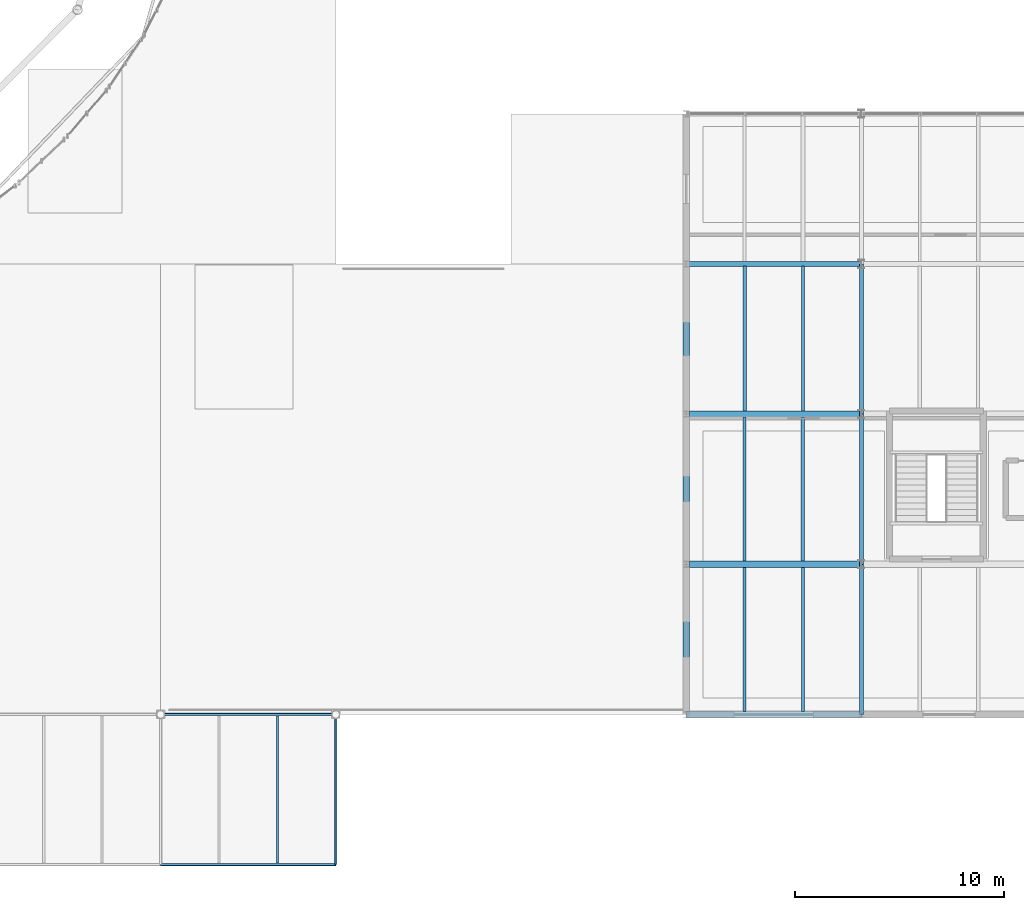
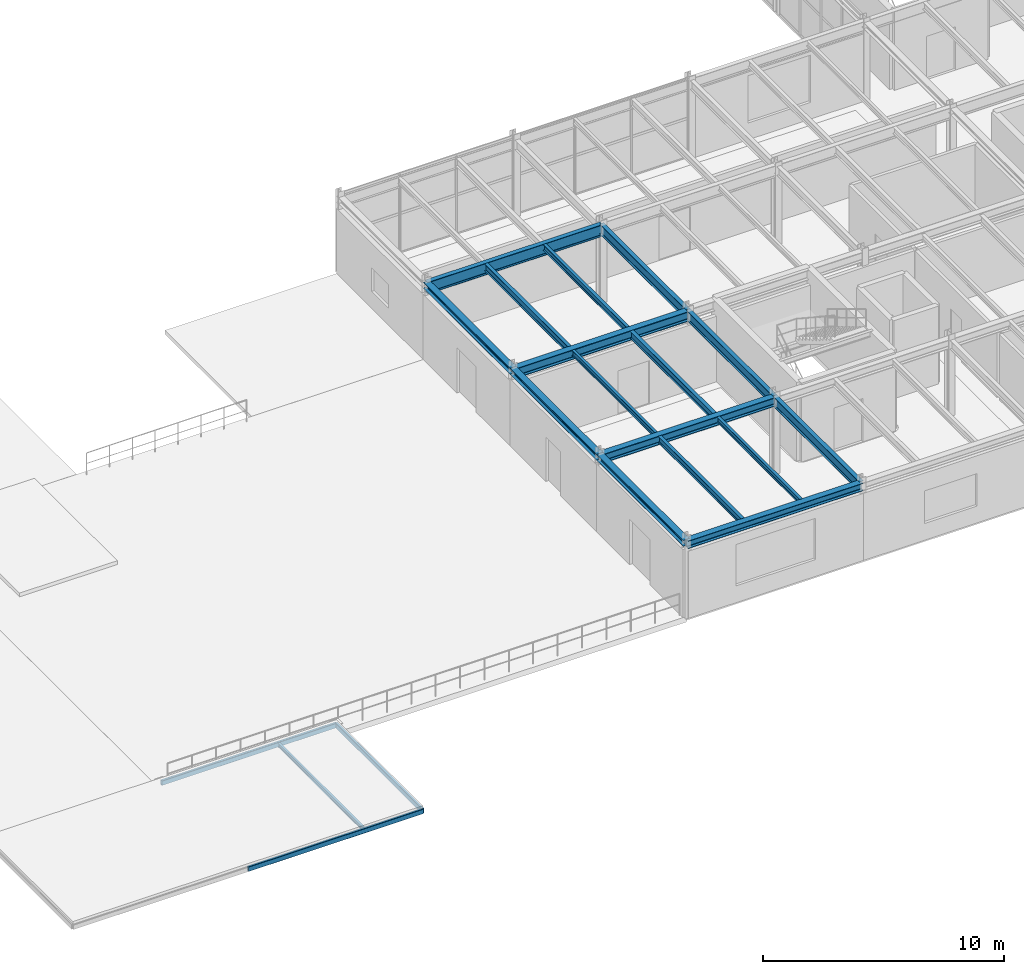
# One storey, part 24 of 73: 20 beams.
"""IFC4 building model written with IfcOpenShell, lengths in metres."""

import ifcopenshell
import ifcopenshell.guid

model = None  # the IFC model being written
_history = None  # IfcOwnerHistory: only IFC2X3 demands one
_inside = {}  # id of a spatial element -> (the spatial element, [elements in it])
_under = {}  # id of a project, library or spatial element -> (it, [spatial elements below it])
_declared = {}  # id of a project -> (the project, [libraries it declares])
_typed = {}  # id of a type object -> (the type object, [elements of that type])
_made_of = {}  # id of a material, layer set ... -> (it, [elements and type objects made of it])


def new_model(schema):
    """Start an empty IFC model of exactly this schema.

    Asked for "IFC4X3", IfcOpenShell would pick the latest addendum, in which some entities
    have other attributes; the version numbers below select the first issue.
    IFC2X3 requires an IfcOwnerHistory on every rooted entity: one is made here for all.
    """
    global model, _history
    if schema == "IFC4X3":
        model = ifcopenshell.file(schema_version=(4, 3, 0, 0))
    else:
        model = ifcopenshell.file(schema=schema)
    _inside.clear()
    _under.clear()
    _declared.clear()
    _typed.clear()
    _made_of.clear()
    _history = None
    if model.schema == "IFC2X3":
        org = make("IfcOrganization", Name="unknown")
        user = make(
            "IfcPersonAndOrganization",
            ThePerson=make("IfcPerson", FamilyName="unknown"),
            TheOrganization=org,
        )
        app = make(
            "IfcApplication",
            ApplicationDeveloper=org,
            Version="unknown",
            ApplicationFullName="unknown",
            ApplicationIdentifier="unknown",
        )
        _history = make(
            "IfcOwnerHistory",
            OwningUser=user,
            OwningApplication=app,
            ChangeAction="ADDED",
            CreationDate=0,
        )
    return model


def make(cls, **values):
    """One entity of the class cls with the attributes given. An attribute that is None is left unset."""
    return model.create_entity(
        cls, **{name: value for name, value in values.items() if value is not None}
    )


def rooted(cls, **values):
    """An entity with a GlobalId (a new one), such as an element, a storey or a relation."""
    return make(cls, GlobalId=ifcopenshell.guid.new(), OwnerHistory=_history, **values)


def si_unit(unit_type, name, prefix=None):
    """IfcSIUnit, for example si_unit("LENGTHUNIT", "METRE", prefix="MILLI")."""
    return make("IfcSIUnit", UnitType=unit_type, Prefix=prefix, Name=name)


def derived_unit(unit_type, elements):
    """IfcDerivedUnit: a product of units, each with its exponent."""
    return make(
        "IfcDerivedUnit",
        Elements=[
            make("IfcDerivedUnitElement", Unit=unit, Exponent=power)
            for unit, power in elements
        ],
        UnitType=unit_type,
    )


def assignment(units):
    """IfcUnitAssignment: the units of a project."""
    return None if units is None else make("IfcUnitAssignment", Units=units)


def point(xyz):
    """IfcCartesianPoint."""
    return None if xyz is None else make("IfcCartesianPoint", Coordinates=xyz)


def direction(xyz):
    """IfcDirection."""
    return None if xyz is None else make("IfcDirection", DirectionRatios=xyz)


def frame(location, z_axis=None, x_axis=None):
    """IfcAxis2Placement3D, a coordinate frame: its origin and axes. An axis left out is left unset."""
    return make(
        "IfcAxis2Placement3D",
        Location=point(location),
        Axis=direction(z_axis),
        RefDirection=direction(x_axis),
    )


def frame_2d(location, x_axis=None):
    """IfcAxis2Placement2D, a coordinate frame in the plane: its origin and x axis."""
    return make(
        "IfcAxis2Placement2D", Location=point(location), RefDirection=direction(x_axis)
    )


def origin():
    """The frame at (0, 0, 0) with its axes left unset."""
    return frame((0.0, 0.0, 0.0))


def origin_2d():
    """The frame at (0, 0) in the plane with its x axis left unset."""
    return frame_2d((0.0, 0.0))


def place(relative_to, where):
    """IfcLocalPlacement: puts the frame where relative to a parent placement (None: the world)."""
    return make(
        "IfcLocalPlacement", PlacementRelTo=relative_to, RelativePlacement=where
    )


def context(
    kind, dimensions, precision=None, world=None, true_north=None, identifier=None
):
    """IfcGeometricRepresentationContext, for example the 3D "Model" context."""
    return make(
        "IfcGeometricRepresentationContext",
        ContextIdentifier=identifier,
        ContextType=kind,
        CoordinateSpaceDimension=dimensions,
        Precision=precision,
        WorldCoordinateSystem=world,
        TrueNorth=true_north,
    )


def subcontext(parent, identifier, kind, view, scale=None):
    """IfcGeometricRepresentationSubContext, for example "Body" below "Model"."""
    return make(
        "IfcGeometricRepresentationSubContext",
        ContextIdentifier=identifier,
        ContextType=kind,
        ParentContext=parent,
        TargetScale=scale,
        TargetView=view,
    )


def project(units=None, contexts=None):
    """IfcProject with its units and contexts."""
    return rooted(
        "IfcProject",
        Name="project",
        RepresentationContexts=contexts,
        UnitsInContext=assignment(units),
    )


def spatial(cls, under=None, at=None, **own):
    """A site, building, storey or space (cls), placed at a placement, below another one or the project."""
    s = rooted(cls, ObjectPlacement=at, **own)
    if under is not None:
        _under.setdefault(under.id(), (under, []))[1].append(s)
    return s


def profile(cls, at=None, kind="AREA", **sizes):
    """A parametric profile (cls). Its sizes go by their IFC names, for example OverallWidth=200.0."""
    return make(cls, ProfileType=kind, Position=at, **sizes)


def hollow_rectangle(**sizes):
    """IfcRectangleHollowProfileDef."""
    return profile("IfcRectangleHollowProfileDef", **sizes)


def i_section(**sizes):
    """IfcIShapeProfileDef."""
    return profile("IfcIShapeProfileDef", **sizes)


def extrude(swept, where, along, depth):
    """IfcExtrudedAreaSolid: the profile swept, set in the frame where, extruded along a direction by depth."""
    return make(
        "IfcExtrudedAreaSolid",
        SweptArea=swept,
        Position=where,
        ExtrudedDirection=direction(along),
        Depth=depth,
    )


def shape(context_of_items, identifier, shape_type, items):
    """IfcShapeRepresentation: the items that make up one representation, for example the "Body"."""
    return make(
        "IfcShapeRepresentation",
        ContextOfItems=context_of_items,
        RepresentationIdentifier=identifier,
        RepresentationType=shape_type,
        Items=items,
    )


def material(Name=None, Category=None):
    """IfcMaterial."""
    return make("IfcMaterial", Name=Name, Category=Category)


def material_profile(
    of_material, cross_section, Name=None, Category=None, Priority=None
):
    """IfcMaterialProfile: a cross section and its material."""
    return make(
        "IfcMaterialProfile",
        Name=Name,
        Material=of_material,
        Profile=cross_section,
        Priority=Priority,
        Category=Category,
    )


def profile_set(profiles, Name=None, composite=None):
    """IfcMaterialProfileSet."""
    return make(
        "IfcMaterialProfileSet",
        Name=Name,
        MaterialProfiles=profiles,
        CompositeProfile=composite,
    )


def made_of(thing, what):
    """Note that an element or type object is made of a material, layer set ...; save() writes the relation."""
    if what is not None:
        _made_of.setdefault(what.id(), (what, []))[1].append(thing)
    return thing


def type_object(cls, material=None, **own):
    """A type object (cls), such as IfcWallType, which elements share."""
    return made_of(rooted(cls, **own), material)


def element(
    cls,
    number,
    at=None,
    inside=None,
    cuts=None,
    type_object=None,
    material=None,
    context=None,
    identifier="Body",
    shape_type=None,
    held_by="IfcProductDefinitionShape",
    body=None,
    shapes=None,
    **own,
):
    """One element of the class cls, such as IfcWall. Its Tag is "e" and its number.

    at: its placement. inside: the storey or other place that contains it. cuts: it is an
    opening in that element (IfcRelVoidsElement). A single representation is given by context,
    identifier, shape_type and body (its items); several are given by shapes. held_by: the class
    of the entity that holds the representations. save() writes the other relations.
    """
    e = rooted(cls, Tag="e%d" % number, ObjectPlacement=at, **own)
    if body is not None:
        shapes = [shape(context, identifier, shape_type, body)]
    if shapes is not None:
        e.Representation = make(held_by, Representations=shapes)
    if inside is not None:
        _inside.setdefault(inside.id(), (inside, []))[1].append(e)
    if cuts is not None:
        rooted(
            "IfcRelVoidsElement", RelatingBuildingElement=cuts, RelatedOpeningElement=e
        )
    if type_object is not None:
        _typed.setdefault(type_object.id(), (type_object, []))[1].append(e)
    return made_of(e, material)


def aggregate(whole, parts):
    """IfcRelAggregates: a whole, such as a stair, and the parts it consists of."""
    return rooted("IfcRelAggregates", RelatingObject=whole, RelatedObjects=parts)


def save(model, path):
    """Write the relations noted so far, then the file.

    IfcRelAggregates (storeys below a building ...), IfcRelContainedInSpatialStructure (elements
    in a storey), IfcRelDefinesByType, IfcRelAssociatesMaterial and IfcRelDeclares: one each for
    every whole, place, type object, material and project.
    """
    for whole, parts in _under.values():
        aggregate(whole, parts)
    for where, things in _inside.values():
        rooted(
            "IfcRelContainedInSpatialStructure",
            RelatedElements=things,
            RelatingStructure=where,
        )
    for kind, things in _typed.values():
        rooted("IfcRelDefinesByType", RelatedObjects=things, RelatingType=kind)
    for what, things in _made_of.values():
        rooted("IfcRelAssociatesMaterial", RelatedObjects=things, RelatingMaterial=what)
    for by, libraries in _declared.values():
        rooted("IfcRelDeclares", RelatingContext=by, RelatedDefinitions=libraries)
    model.write(path)


model = new_model("IFC4")

# Units and contexts
model_context = context("Model", 3, precision=1e-05, world=origin(), true_north=direction((0.0, 1.0)))
body_context = subcontext(model_context, "Body", "Model", "MODEL_VIEW")
ifc_project = project(units=[si_unit("LENGTHUNIT", "METRE"), si_unit("AREAUNIT", "SQUARE_METRE"), si_unit("VOLUMEUNIT", "CUBIC_METRE"), si_unit("PLANEANGLEUNIT", "RADIAN"), si_unit("MASSUNIT", "GRAM", prefix="KILO"), derived_unit("THERMALTRANSMITTANCEUNIT", [(si_unit("MASSUNIT", "GRAM", prefix="KILO"), 1), (si_unit("TIMEUNIT", "SECOND"), -3), (si_unit("THERMODYNAMICTEMPERATUREUNIT", "KELVIN"), -1)])], contexts=[model_context])

# Site, building, storey
site_placement = place(None, origin())
site = spatial("IfcSite", under=ifc_project, at=site_placement, CompositionType="ELEMENT")
building_placement = place(site_placement, origin())
building = spatial("IfcBuilding", under=site, at=building_placement, Name="Kharveza Railside Sports Centre", CompositionType="ELEMENT")
storey_placement = place(building_placement, frame((0.0, 0.0, 8.699951171875)))
storey = spatial("IfcBuildingStorey", under=building, at=storey_placement, Name="L02", CompositionType="ELEMENT", Elevation=8.699951171875)

# Beams
ifc_material_1 = material(Name="Steel S355J2", Category="steel")
ifc_material_profile_1 = material_profile(ifc_material_1, i_section(OverallWidth=0.219970703125, OverallDepth=0.60009765625, WebThickness=0.011962890625, FlangeThickness=0.01904296875, FilletRadius=0.02392578125, at=origin_2d()), Name="IPE 600")
ifc_profile_set_1 = profile_set([ifc_material_profile_1], Name="Steel S355J2")
beam_type_1 = type_object("IfcBeamType", Name="BM-G01", PredefinedType="T_BEAM", material=ifc_profile_set_1)
beam_1_placement = place(storey_placement, frame((117.60009765625, 28.800048828125, 3.6201171875), z_axis=(1.0, 0.0, 0.0), x_axis=(0.0, 1.0, 0.0)))
element("IfcBeam", 1, at=beam_1_placement, inside=storey, type_object=beam_type_1, Name="BM-EW-L02-B01-X1176-Y288", PredefinedType="T_BEAM", context=body_context, shape_type="SweptSolid", body=[
    extrude(i_section(OverallWidth=0.219970703125, OverallDepth=0.60009765625, WebThickness=0.011962890625, FlangeThickness=0.01904296875, FilletRadius=0.02392578125, at=origin_2d()), origin(), (0.0, 0.0, 1.0), 8.39990234375),
])
ifc_material_profile_2 = material_profile(ifc_material_1, i_section(OverallWidth=0.199951171875, OverallDepth=0.5, WebThickness=0.01025390625, FlangeThickness=0.01611328125, FilletRadius=0.02099609375, at=origin_2d()), Name="IPE 500")
ifc_profile_set_2 = profile_set([ifc_material_profile_2], Name="Steel S355J2")
beam_type_2 = type_object("IfcBeamType", Name="BM-G03", PredefinedType="T_BEAM", material=ifc_profile_set_2)
beam_2_placement = place(storey_placement, frame((126.0, 7.199951171875, 3.670166015625), z_axis=(0.0, 1.0, 0.0), x_axis=(-1.0, 0.0, 0.0)))
element("IfcBeam", 2, at=beam_2_placement, inside=storey, type_object=beam_type_2, Name="BM-NS-L02-B03-X1260-Y72", PredefinedType="T_BEAM", context=body_context, shape_type="SweptSolid", body=[
    extrude(i_section(OverallWidth=0.199951171875, OverallDepth=0.5, WebThickness=0.01025390625, FlangeThickness=0.01611328125, FilletRadius=0.02099609375, at=origin_2d()), origin(), (0.0, 0.0, 1.0), 7.199951171875),
])
beam_3_placement = place(storey_placement, frame((126.0, 14.39990234375, 3.670166015625), z_axis=(0.0, 1.0, 0.0), x_axis=(-1.0, 0.0, 0.0)))
element("IfcBeam", 3, at=beam_3_placement, inside=storey, type_object=beam_type_2, Name="BM-NS-L02-B03-X1260-Y144", PredefinedType="T_BEAM", context=body_context, shape_type="SweptSolid", body=[
    extrude(i_section(OverallWidth=0.199951171875, OverallDepth=0.5, WebThickness=0.01025390625, FlangeThickness=0.01611328125, FilletRadius=0.02099609375, at=origin_2d()), origin(), (0.0, 0.0, 1.0), 7.2001953125),
])
beam_4_placement = place(storey_placement, frame((126.0, 21.60009765625, 3.670166015625), z_axis=(0.0, 1.0, 0.0), x_axis=(-1.0, 0.0, 0.0)))
element("IfcBeam", 4, at=beam_4_placement, inside=storey, type_object=beam_type_2, Name="BM-NS-L02-B03-X1260-Y216", PredefinedType="T_BEAM", context=body_context, shape_type="SweptSolid", body=[
    extrude(i_section(OverallWidth=0.199951171875, OverallDepth=0.5, WebThickness=0.01025390625, FlangeThickness=0.01611328125, FilletRadius=0.02099609375, at=origin_2d()), origin(), (0.0, 0.0, 1.0), 7.199951171875),
])
ifc_material_profile_3 = material_profile(ifc_material_1, i_section(OverallWidth=0.300048828125, OverallDepth=0.5, WebThickness=0.014404296875, FlangeThickness=0.028076171875, FilletRadius=0.027099609375, at=origin_2d()), Name="HEB 500")
ifc_profile_set_3 = profile_set([ifc_material_profile_3], Name="Steel S355J2")
beam_type_3 = type_object("IfcBeamType", Name="BM-G05", PredefinedType="T_BEAM", material=ifc_profile_set_3)
beam_5_placement = place(storey_placement, frame((117.60009765625, 21.60009765625, 3.670166015625), z_axis=(1.0, 0.0, 0.0), x_axis=(0.0, 1.0, 0.0)))
element("IfcBeam", 5, at=beam_5_placement, inside=storey, type_object=beam_type_3, Name="BM-EW-L02-B05-X1176-Y216", PredefinedType="T_BEAM", context=body_context, shape_type="SweptSolid", body=[
    extrude(i_section(OverallWidth=0.300048828125, OverallDepth=0.5, WebThickness=0.014404296875, FlangeThickness=0.028076171875, FilletRadius=0.027099609375, at=origin_2d()), origin(), (0.0, 0.0, 1.0), 8.39990234375),
])
ifc_material_profile_4 = material_profile(ifc_material_1, i_section(OverallWidth=0.300048828125, OverallDepth=0.449951171875, WebThickness=0.013916015625, FlangeThickness=0.02587890625, FilletRadius=0.027099609375, at=origin_2d()), Name="HEB 450")
ifc_profile_set_4 = profile_set([ifc_material_profile_4], Name="Steel S355J2")
beam_type_4 = type_object("IfcBeamType", Name="BM-G06", PredefinedType="T_BEAM", material=ifc_profile_set_4)
beam_6_placement = place(storey_placement, frame((117.60009765625, 14.39990234375, 3.695068359375), z_axis=(1.0, 0.0, 0.0), x_axis=(0.0, 1.0, 0.0)))
element("IfcBeam", 6, at=beam_6_placement, inside=storey, type_object=beam_type_4, Name="BM-EW-L02-B06-X1176-Y144", PredefinedType="T_BEAM", context=body_context, shape_type="SweptSolid", body=[
    extrude(i_section(OverallWidth=0.300048828125, OverallDepth=0.449951171875, WebThickness=0.013916015625, FlangeThickness=0.02587890625, FilletRadius=0.027099609375, at=origin_2d()), origin(), (0.0, 0.0, 1.0), 8.39990234375),
])
ifc_material_2 = material(Name="Steel S275JR", Category="steel")
ifc_material_profile_5 = material_profile(ifc_material_2, i_section(OverallWidth=0.10009765625, OverallDepth=0.199951171875, WebThickness=0.005615234375, FlangeThickness=0.008544921875, FilletRadius=0.011962890625, at=origin_2d()), Name="IPE 200")
ifc_profile_set_5 = profile_set([ifc_material_profile_5], Name="Steel S275JR")
beam_type_5 = type_object("IfcBeamType", Name="BM-J03", PredefinedType="JOIST", material=ifc_profile_set_5)
beam_7_placement = place(storey_placement, frame((98.0, 0.074951171875, 0.4150390625), z_axis=(0.0, 1.0, 0.0), x_axis=(-1.0, 0.0, 0.0)))
element("IfcBeam", 7, at=beam_7_placement, inside=storey, type_object=beam_type_5, Name="BM-CANOPY-J-04", PredefinedType="JOIST", context=body_context, shape_type="SweptSolid", body=[
    extrude(i_section(OverallWidth=0.10009765625, OverallDepth=0.199951171875, WebThickness=0.005615234375, FlangeThickness=0.008544921875, FilletRadius=0.011962890625, at=origin_2d()), origin(), (0.0, 0.0, 1.0), 7.050048828125),
])
ifc_material_profile_6 = material_profile(ifc_material_1, i_section(OverallWidth=0.169921875, OverallDepth=0.360107421875, WebThickness=0.008056640625, FlangeThickness=0.0126953125, FilletRadius=0.01806640625, at=origin_2d()), Name="IPE 360")
ifc_profile_set_6 = profile_set([ifc_material_profile_6], Name="Steel S355J2")
beam_type_6 = type_object("IfcBeamType", Name="BM-S02", PredefinedType="BEAM", material=ifc_profile_set_6)
beam_8_placement = place(storey_placement, frame((123.199951171875, 14.547119140625, 3.739990234375), z_axis=(0.0, 1.0, 0.0), x_axis=(-1.0, 0.0, 0.0)))
element("IfcBeam", 8, at=beam_8_placement, inside=storey, type_object=beam_type_6, Name="BM-SEC-L02-B10-X1232-Y144", PredefinedType="BEAM", context=body_context, shape_type="SweptSolid", body=[
    extrude(i_section(OverallWidth=0.169921875, OverallDepth=0.360107421875, WebThickness=0.008056640625, FlangeThickness=0.0126953125, FilletRadius=0.01806640625, at=origin_2d()), origin(), (0.0, 0.0, 1.0), 6.90576171875),
])
beam_9_placement = place(storey_placement, frame((120.39990234375, 21.7470703125, 3.739990234375), z_axis=(0.0, 1.0, 0.0), x_axis=(-1.0, 0.0, 0.0)))
element("IfcBeam", 9, at=beam_9_placement, inside=storey, type_object=beam_type_6, Name="BM-SEC-L02-B10-X1204-Y216", PredefinedType="BEAM", context=body_context, shape_type="SweptSolid", body=[
    extrude(i_section(OverallWidth=0.169921875, OverallDepth=0.360107421875, WebThickness=0.008056640625, FlangeThickness=0.0126953125, FilletRadius=0.01806640625, at=origin_2d()), origin(), (0.0, 0.0, 1.0), 6.946044921875),
])
ifc_material_profile_7 = material_profile(ifc_material_1, i_section(OverallWidth=0.159912109375, OverallDepth=0.330078125, WebThickness=0.007568359375, FlangeThickness=0.011474609375, FilletRadius=0.01806640625, at=origin_2d()), Name="IPE 330")
ifc_profile_set_7 = profile_set([ifc_material_profile_7], Name="Steel S355J2")
beam_type_7 = type_object("IfcBeamType", Name="BM-S03", PredefinedType="BEAM", material=ifc_profile_set_7)
beam_10_placement = place(storey_placement, frame((120.39990234375, 7.346923828125, 3.755126953125), z_axis=(0.0, 1.0, 0.0), x_axis=(-1.0, 0.0, 0.0)))
element("IfcBeam", 10, at=beam_10_placement, inside=storey, type_object=beam_type_7, Name="BM-SEC-L02-B11-X1204-Y72", PredefinedType="BEAM", context=body_context, shape_type="SweptSolid", body=[
    extrude(i_section(OverallWidth=0.159912109375, OverallDepth=0.330078125, WebThickness=0.007568359375, FlangeThickness=0.011474609375, FilletRadius=0.01806640625, at=origin_2d()), origin(), (0.0, 0.0, 1.0), 6.906005859375),
])
ifc_material_profile_8 = material_profile(ifc_material_1, i_section(OverallWidth=0.14990234375, OverallDepth=0.300048828125, WebThickness=0.007080078125, FlangeThickness=0.0107421875, FilletRadius=0.014892578125, at=origin_2d()), Name="IPE 300")
ifc_profile_set_8 = profile_set([ifc_material_profile_8], Name="Steel S355J2")
beam_type_8 = type_object("IfcBeamType", Name="BM-S04", PredefinedType="BEAM", material=ifc_profile_set_8)
beam_11_placement = place(storey_placement, frame((123.199951171875, 21.7470703125, 3.77001953125), z_axis=(0.0, 1.0, 0.0), x_axis=(-1.0, 0.0, 0.0)))
element("IfcBeam", 11, at=beam_11_placement, inside=storey, type_object=beam_type_8, Name="BM-SEC-L02-B12-X1232-Y216", PredefinedType="BEAM", context=body_context, shape_type="SweptSolid", body=[
    extrude(i_section(OverallWidth=0.14990234375, OverallDepth=0.300048828125, WebThickness=0.007080078125, FlangeThickness=0.0107421875, FilletRadius=0.014892578125, at=origin_2d()), origin(), (0.0, 0.0, 1.0), 6.946044921875),
])
ifc_material_profile_9 = material_profile(ifc_material_1, i_section(OverallWidth=0.135009765625, OverallDepth=0.27001953125, WebThickness=0.006591796875, FlangeThickness=0.01025390625, FilletRadius=0.014892578125, at=origin_2d()), Name="IPE 270")
ifc_profile_set_9 = profile_set([ifc_material_profile_9], Name="Steel S355J2")
beam_type_9 = type_object("IfcBeamType", Name="BM-S05", PredefinedType="BEAM", material=ifc_profile_set_9)
beam_12_placement = place(storey_placement, frame((123.199951171875, 7.346923828125, 3.78515625), z_axis=(0.0, 1.0, 0.0), x_axis=(-1.0, 0.0, 0.0)))
element("IfcBeam", 12, at=beam_12_placement, inside=storey, type_object=beam_type_9, Name="BM-SEC-L02-B13-X1232-Y72", PredefinedType="BEAM", context=body_context, shape_type="SweptSolid", body=[
    extrude(i_section(OverallWidth=0.135009765625, OverallDepth=0.27001953125, WebThickness=0.006591796875, FlangeThickness=0.01025390625, FilletRadius=0.014892578125, at=origin_2d()), origin(), (0.0, 0.0, 1.0), 6.906005859375),
])
beam_13_placement = place(storey_placement, frame((120.39990234375, 14.547119140625, 3.78515625), z_axis=(0.0, 1.0, 0.0), x_axis=(-1.0, 0.0, 0.0)))
element("IfcBeam", 13, at=beam_13_placement, inside=storey, type_object=beam_type_9, Name="BM-SEC-L02-B13-X1204-Y144", PredefinedType="BEAM", context=body_context, shape_type="SweptSolid", body=[
    extrude(i_section(OverallWidth=0.135009765625, OverallDepth=0.27001953125, WebThickness=0.006591796875, FlangeThickness=0.01025390625, FilletRadius=0.014892578125, at=origin_2d()), origin(), (0.0, 0.0, 1.0), 6.90576171875),
])
ifc_material_profile_10 = material_profile(ifc_material_1, i_section(OverallWidth=0.300048828125, OverallDepth=0.31005859375, WebThickness=0.009033203125, FlangeThickness=0.015380859375, FilletRadius=0.027099609375, at=origin_2d()), Name="HEA 320")
ifc_profile_set_10 = profile_set([ifc_material_profile_10], Name="Steel S355J2")
beam_type_10 = type_object("IfcBeamType", Name="BM-S06", PredefinedType="BEAM", material=ifc_profile_set_10)
beam_14_placement = place(storey_placement, frame((117.60009765625, 7.199951171875, 3.76513671875), z_axis=(0.0, 1.0, 0.0), x_axis=(-1.0, 0.0, 0.0)))
element("IfcBeam", 14, at=beam_14_placement, inside=storey, type_object=beam_type_10, Name="BM-NS-L02-B14-X1176-Y72", PredefinedType="BEAM", context=body_context, shape_type="SweptSolid", body=[
    extrude(i_section(OverallWidth=0.300048828125, OverallDepth=0.31005859375, WebThickness=0.009033203125, FlangeThickness=0.015380859375, FilletRadius=0.027099609375, at=origin_2d()), origin(), (0.0, 0.0, 1.0), 7.199951171875),
])
beam_15_placement = place(storey_placement, frame((117.60009765625, 14.39990234375, 3.76513671875), z_axis=(0.0, 1.0, 0.0), x_axis=(-1.0, 0.0, 0.0)))
element("IfcBeam", 15, at=beam_15_placement, inside=storey, type_object=beam_type_10, Name="BM-NS-L02-B14-X1176-Y144", PredefinedType="BEAM", context=body_context, shape_type="SweptSolid", body=[
    extrude(i_section(OverallWidth=0.300048828125, OverallDepth=0.31005859375, WebThickness=0.009033203125, FlangeThickness=0.015380859375, FilletRadius=0.027099609375, at=origin_2d()), origin(), (0.0, 0.0, 1.0), 7.2001953125),
])
beam_16_placement = place(storey_placement, frame((117.60009765625, 21.60009765625, 3.76513671875), z_axis=(0.0, 1.0, 0.0), x_axis=(-1.0, 0.0, 0.0)))
element("IfcBeam", 16, at=beam_16_placement, inside=storey, type_object=beam_type_10, Name="BM-NS-L02-B14-X1176-Y216", PredefinedType="BEAM", context=body_context, shape_type="SweptSolid", body=[
    extrude(i_section(OverallWidth=0.300048828125, OverallDepth=0.31005859375, WebThickness=0.009033203125, FlangeThickness=0.015380859375, FilletRadius=0.027099609375, at=origin_2d()), origin(), (0.0, 0.0, 1.0), 7.199951171875),
])
ifc_material_profile_11 = material_profile(ifc_material_1, i_section(OverallWidth=0.300048828125, OverallDepth=0.389892578125, WebThickness=0.010986328125, FlangeThickness=0.01904296875, FilletRadius=0.027099609375, at=origin_2d()), Name="HEA 400")
ifc_profile_set_11 = profile_set([ifc_material_profile_11], Name="Steel S355J2")
beam_type_11 = type_object("IfcBeamType", Name="BM-SP02", PredefinedType="SPANDREL", material=ifc_profile_set_11)
beam_17_placement = place(storey_placement, frame((117.60009765625, 7.199951171875, 3.72509765625), z_axis=(1.0, 0.0, 0.0), x_axis=(0.0, 1.0, 0.0)))
element("IfcBeam", 17, at=beam_17_placement, inside=storey, type_object=beam_type_11, Name="BM-EW-L02-B16-X1176-Y72", PredefinedType="SPANDREL", context=body_context, shape_type="SweptSolid", body=[
    extrude(i_section(OverallWidth=0.300048828125, OverallDepth=0.389892578125, WebThickness=0.010986328125, FlangeThickness=0.01904296875, FilletRadius=0.027099609375, at=origin_2d()), origin(), (0.0, 0.0, 1.0), 8.39990234375),
])
ifc_material_profile_12 = material_profile(ifc_material_1, hollow_rectangle(XDim=0.1201171875, YDim=0.239990234375, WallThickness=0.010009765625, InnerFilletRadius=0.010009765625, OuterFilletRadius=0.02001953125, at=origin_2d()), Name="RHS 120x240x10.0")
ifc_profile_set_12 = profile_set([ifc_material_profile_12], Name="Steel S355J2")
beam_type_12 = type_object("IfcBeamType", Name="BM-SP05", PredefinedType="SPANDREL", material=ifc_profile_set_12)
beam_18_placement = place(storey_placement, frame((100.800048828125, 0.0, 0.39501953125), z_axis=(0.0, 1.0, 0.0), x_axis=(-1.0, 0.0, 0.0)))
element("IfcBeam", 18, at=beam_18_placement, inside=storey, type_object=beam_type_12, Name="BM-CANOPY-NS-100", PredefinedType="SPANDREL", context=body_context, shape_type="SweptSolid", body=[
    extrude(hollow_rectangle(XDim=0.1201171875, YDim=0.239990234375, WallThickness=0.010009765625, InnerFilletRadius=0.010009765625, OuterFilletRadius=0.02001953125, at=origin_2d()), origin(), (0.0, 0.0, 1.0), 7.199951171875),
])
for number, where, z_axis, x_axis, name in (
    (19, (92.39990234375, 0.0, 0.39501953125), (1.0, 0.0, 0.0), (0.0, 1.0, 0.0), "BM-CANOPY-SP-S2"),
    (20, (92.39990234375, 7.199951171875, 0.39501953125), (1.0, 0.0, 0.0), (0.0, 1.0, 0.0), "BM-CANOPY-SP-N2"),
):
    element("IfcBeam", number, at=place(storey_placement, frame(where, z_axis=z_axis, x_axis=x_axis)), inside=storey, type_object=beam_type_12, Name=name, PredefinedType="SPANDREL", context=body_context, shape_type="SweptSolid", body=[
        extrude(hollow_rectangle(XDim=0.1201171875, YDim=0.239990234375, WallThickness=0.010009765625, InnerFilletRadius=0.010009765625, OuterFilletRadius=0.02001953125, at=origin_2d()), origin(), (0.0, 0.0, 1.0), 8.400146484375),
    ])

save(model, "model.ifc")
